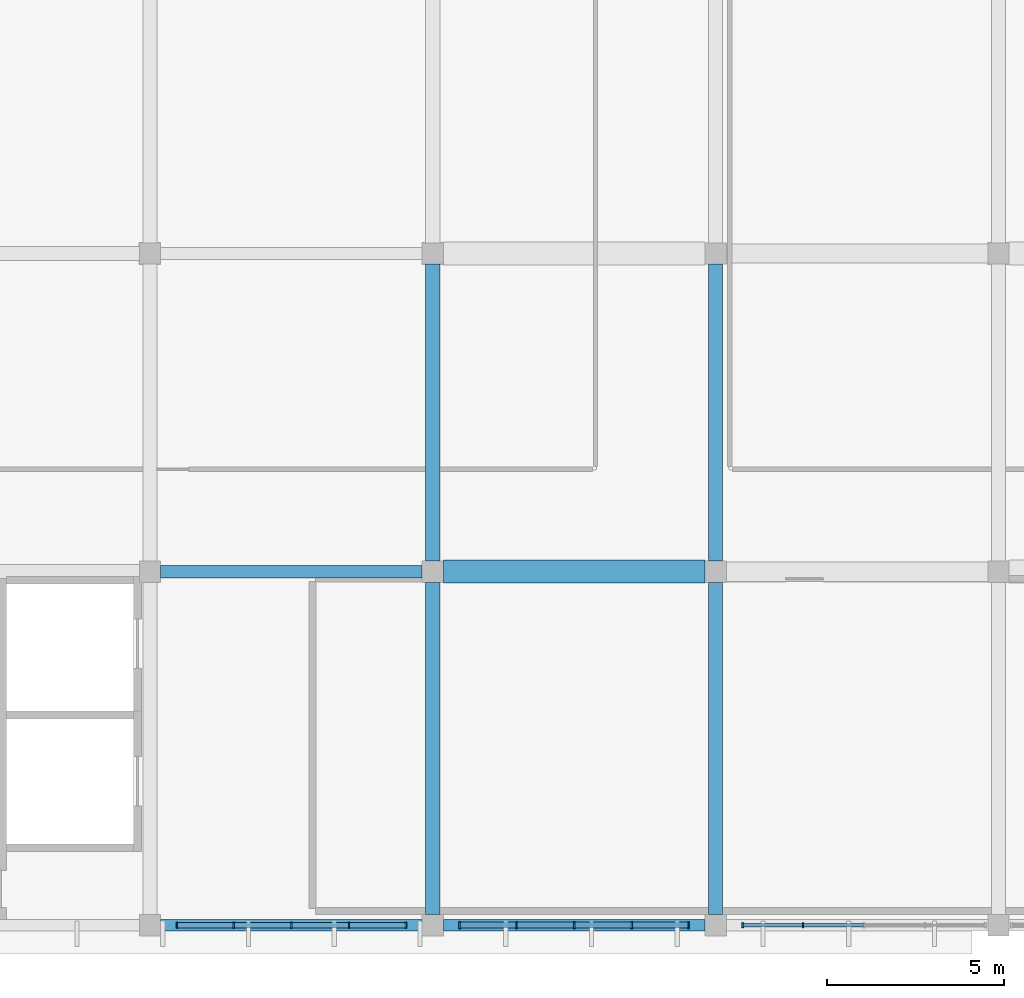
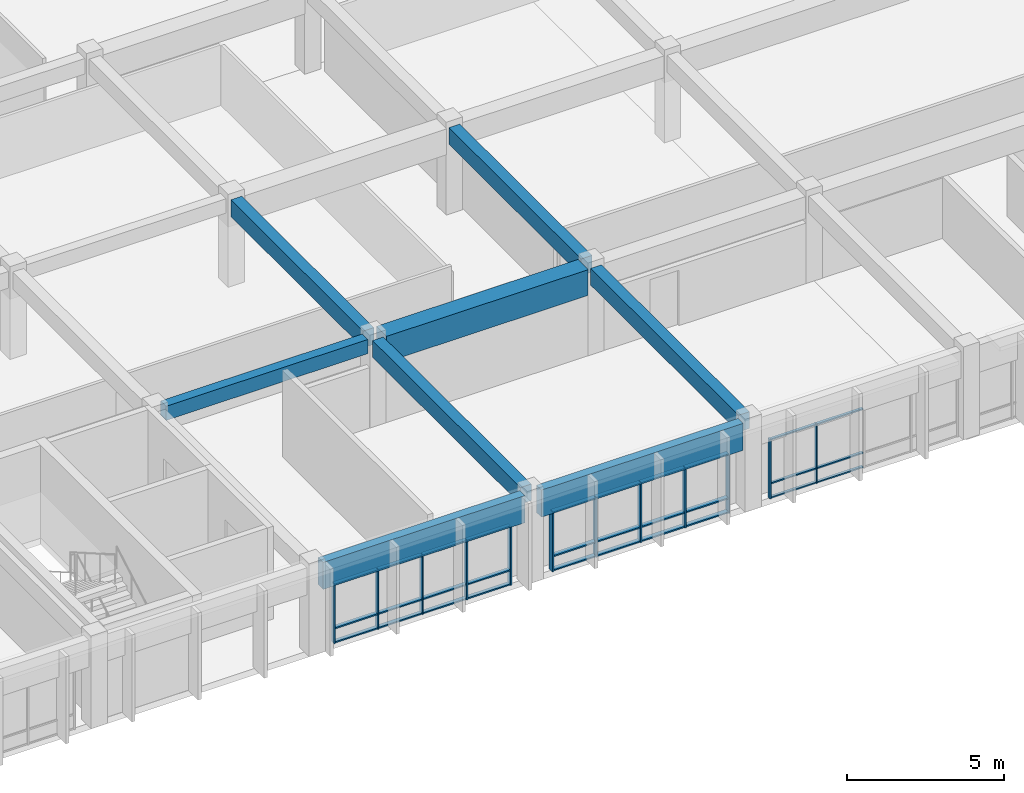
# One storey, part 28 of 155: 42 members, 8 beams, 3 elements without a shape of their own.
"""IFC4 building model written with IfcOpenShell, lengths in metres."""

from ifc_helpers import new_model, si_unit, direction, frame, origin, origin_2d, place, context, subcontext, project, spatial, rectangle, extrude, material, material_profile, profile_set, type_object, element, aggregate, save


model = new_model("IFC4")

# Units and contexts
model_context = context("Model", 3, precision=1e-05, world=origin(), true_north=direction((0.0, 1.0)))
body_context = subcontext(model_context, "Body", "Model", "MODEL_VIEW")
ifc_project = project(units=[si_unit("LENGTHUNIT", "METRE"), si_unit("AREAUNIT", "SQUARE_METRE"), si_unit("VOLUMEUNIT", "CUBIC_METRE"), si_unit("PLANEANGLEUNIT", "RADIAN"), si_unit("MASSUNIT", "GRAM", prefix="KILO")], contexts=[model_context])

# Site, building, storey
site_placement = place(None, origin())
site = spatial("IfcSite", under=ifc_project, at=site_placement, CompositionType="ELEMENT")
building_placement = place(site_placement, origin())
building = spatial("IfcBuilding", under=site, at=building_placement, Name="Larkveld Mobility Hub", CompositionType="ELEMENT")
storey_placement = place(building_placement, frame((0.0, 0.0, 8.39990234375)))
storey = spatial("IfcBuildingStorey", under=building, at=storey_placement, Name="L02", CompositionType="ELEMENT", Elevation=8.39990234375)

# Beams
ifc_material_1 = material(Name="Concrete C40/50", Category="concrete")
ifc_material_profile_1 = material_profile(ifc_material_1, rectangle(XDim=0.35009765625, YDim=0.550048828125, at=origin_2d()), Name="RC BM 350x550")
ifc_profile_set_1 = profile_set([ifc_material_profile_1], Name="Concrete C40/50")
beam_type_1 = type_object("IfcBeamType", Name="BM-RC3555", PredefinedType="BEAM", material=ifc_profile_set_1)
beam_1_placement = place(storey_placement, frame((128.300048828125, 10.0, 3.085205078125), z_axis=(1.0, 0.0, 0.0), x_axis=(0.0, 1.0, 0.0)))
element("IfcBeam", 1, at=beam_1_placement, inside=storey, type_object=beam_type_1, Name="Primary E-W Girder L02-0493", PredefinedType="BEAM", context=body_context, shape_type="SweptSolid", body=[
    extrude(rectangle(XDim=0.35009765625, YDim=0.550048828125, at=origin_2d()), origin(), (0.0, 0.0, 1.0), 7.39990234375),
])
ifc_material_profile_2 = material_profile(ifc_material_1, rectangle(XDim=0.39990234375, YDim=0.64990234375, at=origin_2d()), Name="RC BM 400x650")
ifc_profile_set_2 = profile_set([ifc_material_profile_2], Name="Concrete C40/50")
beam_type_2 = type_object("IfcBeamType", Name="BM-RC4065", PredefinedType="BEAM", material=ifc_profile_set_2)
beam_2_placement = place(storey_placement, frame((136.0, 0.300048828125, 3.03515625), z_axis=(0.0, 1.0, 0.0), x_axis=(-1.0, 0.0, 0.0)))
element("IfcBeam", 2, at=beam_2_placement, inside=storey, type_object=beam_type_2, Name="Primary N-S Girder L02-0652", PredefinedType="BEAM", context=body_context, shape_type="SweptSolid", body=[
    extrude(rectangle(XDim=0.39990234375, YDim=0.64990234375, at=origin_2d()), origin(), (0.0, 0.0, 1.0), 9.39990234375),
])
beam_3_placement = place(storey_placement, frame((136.0, 10.300048828125, 3.03515625), z_axis=(0.0, 1.0, 0.0), x_axis=(-1.0, 0.0, 0.0)))
element("IfcBeam", 3, at=beam_3_placement, inside=storey, type_object=beam_type_2, Name="Primary N-S Girder L02-0653", PredefinedType="BEAM", context=body_context, shape_type="SweptSolid", body=[
    extrude(rectangle(XDim=0.39990234375, YDim=0.64990234375, at=origin_2d()), origin(), (0.0, 0.0, 1.0), 8.39990234375),
])
beam_4_placement = place(storey_placement, frame((144.0, 0.300048828125, 3.03515625), z_axis=(0.0, 1.0, 0.0), x_axis=(-1.0, 0.0, 0.0)))
element("IfcBeam", 4, at=beam_4_placement, inside=storey, type_object=beam_type_2, Name="Primary N-S Girder L02-0660", PredefinedType="BEAM", context=body_context, shape_type="SweptSolid", body=[
    extrude(rectangle(XDim=0.39990234375, YDim=0.64990234375, at=origin_2d()), origin(), (0.0, 0.0, 1.0), 9.39990234375),
])
beam_5_placement = place(storey_placement, frame((144.0, 10.300048828125, 3.03515625), z_axis=(0.0, 1.0, 0.0), x_axis=(-1.0, 0.0, 0.0)))
element("IfcBeam", 5, at=beam_5_placement, inside=storey, type_object=beam_type_2, Name="Primary N-S Girder L02-0661", PredefinedType="BEAM", context=body_context, shape_type="SweptSolid", body=[
    extrude(rectangle(XDim=0.39990234375, YDim=0.64990234375, at=origin_2d()), origin(), (0.0, 0.0, 1.0), 8.39990234375),
])
ifc_material_profile_3 = material_profile(ifc_material_1, rectangle(XDim=0.64990234375, YDim=1.0, at=origin_2d()), Name="RC BM 650x1000")
ifc_profile_set_3 = profile_set([ifc_material_profile_3], Name="Concrete C40/50")
beam_type_3 = type_object("IfcBeamType", Name="BM-RC65100", PredefinedType="BEAM", material=ifc_profile_set_3)
beam_6_placement = place(storey_placement, frame((136.300048828125, 10.0, 2.860107421875), z_axis=(1.0, 0.0, 0.0), x_axis=(0.0, 1.0, 0.0)))
element("IfcBeam", 6, at=beam_6_placement, inside=storey, type_object=beam_type_3, Name="Primary E-W Girder L02-0494", PredefinedType="BEAM", context=body_context, shape_type="SweptSolid", body=[
    extrude(rectangle(XDim=0.64990234375, YDim=1.0, at=origin_2d()), origin(), (0.0, 0.0, 1.0), 7.39990234375),
])
ifc_material_2 = material(Name="Precast concrete C50/60", Category="concrete")
ifc_material_profile_4 = material_profile(ifc_material_2, rectangle(XDim=0.320068359375, YDim=1.050048828125, at=origin_2d()), Name="PC SP 320x1050")
ifc_profile_set_4 = profile_set([ifc_material_profile_4], Name="Precast concrete C50/60")
beam_type_4 = type_object("IfcBeamType", Name="BM-SP32105", PredefinedType="SPANDREL", material=ifc_profile_set_4)
for number, where, z_axis, x_axis, name in (
    (7, (128.300048828125, 0.0, 2.835205078125), (1.0, 0.0, 0.0), (0.0, 1.0, 0.0), "Primary E-W Girder L02-0486"),
    (8, (136.300048828125, 0.0, 2.835205078125), (1.0, 0.0, 0.0), (0.0, 1.0, 0.0), "Primary E-W Girder L02-0487"),
):
    element("IfcBeam", number, at=place(storey_placement, frame(where, z_axis=z_axis, x_axis=x_axis)), inside=storey, type_object=beam_type_4, Name=name, PredefinedType="SPANDREL", context=body_context, shape_type="SweptSolid", body=[
        extrude(rectangle(XDim=0.320068359375, YDim=1.050048828125, at=origin_2d()), origin(), (0.0, 0.0, 1.0), 7.39990234375),
    ])

# Curtain wall, members
ifc_material_3 = material(Name="Anodised aluminium 6063-T6", Category="aluminium")
curtain_wall_type_1 = type_object("IfcCurtainWallType", Name="CW-SYS-06", PredefinedType="NOTDEFINED", material=ifc_material_3)
curtain_wall_1_placement = place(storey_placement, origin())
curtain_wall_1 = element("IfcCurtainWall", 9, at=curtain_wall_1_placement, inside=storey, type_object=curtain_wall_type_1, Name="Service Centre South Curtain Wall L02 CW-102", PredefinedType="NOTDEFINED")
ifc_material_profile_5 = material_profile(ifc_material_3, rectangle(XDim=0.050048828125, YDim=0.179931640625, at=origin_2d()), Name="ALU MULL 50x180")
ifc_profile_set_5 = profile_set([ifc_material_profile_5], Name="Anodised aluminium 6063-T6")
member_type_1 = type_object("IfcMemberType", Name="CW-MUL-02", PredefinedType="MULLION", material=ifc_profile_set_5)
member_1_placement = place(storey_placement, frame((128.764892578125, 0.0, -0.001953125), z_axis=(0.0, 0.0, 1.0), x_axis=(1.0, 0.0, 0.0)))
member_1 = element("IfcMember", 10, at=member_1_placement, type_object=member_type_1, Name="CW06 mullion 1", PredefinedType="MULLION", context=body_context, shape_type="SweptSolid", body=[
    extrude(rectangle(XDim=0.050048828125, YDim=0.179931640625, at=origin_2d()), origin(), (0.0, 0.0, 1.0), 2.31201171875),
])
member_2_placement = place(storey_placement, frame((130.3701171875, 0.0, -0.001953125), z_axis=(0.0, 0.0, 1.0), x_axis=(1.0, 0.0, 0.0)))
member_2 = element("IfcMember", 11, at=member_2_placement, type_object=member_type_1, Name="CW06 mullion 2", PredefinedType="MULLION", context=body_context, shape_type="SweptSolid", body=[
    extrude(rectangle(XDim=0.050048828125, YDim=0.179931640625, at=origin_2d()), origin(), (0.0, 0.0, 1.0), 2.31201171875),
])
member_3_placement = place(storey_placement, frame((132.0, 0.0, -0.001953125), z_axis=(0.0, 0.0, 1.0), x_axis=(1.0, 0.0, 0.0)))
member_3 = element("IfcMember", 12, at=member_3_placement, type_object=member_type_1, Name="CW06 mullion 3", PredefinedType="MULLION", context=body_context, shape_type="SweptSolid", body=[
    extrude(rectangle(XDim=0.050048828125, YDim=0.179931640625, at=origin_2d()), origin(), (0.0, 0.0, 1.0), 2.31201171875),
])
member_4_placement = place(storey_placement, frame((133.6298828125, 0.0, -0.001953125), z_axis=(0.0, 0.0, 1.0), x_axis=(1.0, 0.0, 0.0)))
member_4 = element("IfcMember", 13, at=member_4_placement, type_object=member_type_1, Name="CW06 mullion 4", PredefinedType="MULLION", context=body_context, shape_type="SweptSolid", body=[
    extrude(rectangle(XDim=0.050048828125, YDim=0.179931640625, at=origin_2d()), origin(), (0.0, 0.0, 1.0), 2.31201171875),
])
member_5_placement = place(storey_placement, frame((135.235107421875, 0.0, -0.001953125), z_axis=(0.0, 0.0, 1.0), x_axis=(1.0, 0.0, 0.0)))
member_5 = element("IfcMember", 14, at=member_5_placement, type_object=member_type_1, Name="CW06 mullion 5", PredefinedType="MULLION", context=body_context, shape_type="SweptSolid", body=[
    extrude(rectangle(XDim=0.050048828125, YDim=0.179931640625, at=origin_2d()), origin(), (0.0, 0.0, 1.0), 2.31201171875),
])

curtain_wall_type_2 = type_object("IfcCurtainWallType", Name="CW-SYS-07", PredefinedType="NOTDEFINED", material=ifc_material_3)
curtain_wall_2_placement = place(storey_placement, origin())
curtain_wall_2 = element("IfcCurtainWall", 15, at=curtain_wall_2_placement, inside=storey, type_object=curtain_wall_type_2, Name="Service Centre South Curtain Wall L02 CW-103", PredefinedType="NOTDEFINED")
ifc_material_profile_6 = material_profile(ifc_material_3, rectangle(XDim=0.050048828125, YDim=0.2099609375, at=origin_2d()), Name="ALU MULL 50x210")
ifc_profile_set_6 = profile_set([ifc_material_profile_6], Name="Anodised aluminium 6063-T6")
member_type_2 = type_object("IfcMemberType", Name="CW-MUL-03", PredefinedType="MULLION", material=ifc_profile_set_6)
member_6_placement = place(storey_placement, frame((136.764892578125, 0.0, -0.001953125), z_axis=(0.0, 0.0, 1.0), x_axis=(1.0, 0.0, 0.0)))
member_6 = element("IfcMember", 16, at=member_6_placement, type_object=member_type_2, Name="CW07 mullion 1", PredefinedType="MULLION", context=body_context, shape_type="SweptSolid", body=[
    extrude(rectangle(XDim=0.050048828125, YDim=0.2099609375, at=origin_2d()), origin(), (0.0, 0.0, 1.0), 2.31201171875),
])
member_7_placement = place(storey_placement, frame((138.3701171875, 0.0, -0.001953125), z_axis=(0.0, 0.0, 1.0), x_axis=(1.0, 0.0, 0.0)))
member_7 = element("IfcMember", 17, at=member_7_placement, type_object=member_type_2, Name="CW07 mullion 2", PredefinedType="MULLION", context=body_context, shape_type="SweptSolid", body=[
    extrude(rectangle(XDim=0.050048828125, YDim=0.2099609375, at=origin_2d()), origin(), (0.0, 0.0, 1.0), 2.31201171875),
])
member_8_placement = place(storey_placement, frame((140.0, 0.0, -0.001953125), z_axis=(0.0, 0.0, 1.0), x_axis=(1.0, 0.0, 0.0)))
member_8 = element("IfcMember", 18, at=member_8_placement, type_object=member_type_2, Name="CW07 mullion 3", PredefinedType="MULLION", context=body_context, shape_type="SweptSolid", body=[
    extrude(rectangle(XDim=0.050048828125, YDim=0.2099609375, at=origin_2d()), origin(), (0.0, 0.0, 1.0), 2.31201171875),
])
member_9_placement = place(storey_placement, frame((141.6298828125, 0.0, -0.001953125), z_axis=(0.0, 0.0, 1.0), x_axis=(1.0, 0.0, 0.0)))
member_9 = element("IfcMember", 19, at=member_9_placement, type_object=member_type_2, Name="CW07 mullion 4", PredefinedType="MULLION", context=body_context, shape_type="SweptSolid", body=[
    extrude(rectangle(XDim=0.050048828125, YDim=0.2099609375, at=origin_2d()), origin(), (0.0, 0.0, 1.0), 2.31201171875),
])
member_10_placement = place(storey_placement, frame((143.235107421875, 0.0, -0.001953125), z_axis=(0.0, 0.0, 1.0), x_axis=(1.0, 0.0, 0.0)))
member_10 = element("IfcMember", 20, at=member_10_placement, type_object=member_type_2, Name="CW07 mullion 5", PredefinedType="MULLION", context=body_context, shape_type="SweptSolid", body=[
    extrude(rectangle(XDim=0.050048828125, YDim=0.2099609375, at=origin_2d()), origin(), (0.0, 0.0, 1.0), 2.31201171875),
])

curtain_wall_type_3 = type_object("IfcCurtainWallType", Name="CW-SYS-08", PredefinedType="NOTDEFINED", material=ifc_material_3)
curtain_wall_3_placement = place(storey_placement, origin())
curtain_wall_3 = element("IfcCurtainWall", 21, at=curtain_wall_3_placement, inside=storey, type_object=curtain_wall_type_3, Name="Service Centre South Curtain Wall L02 CW-104", PredefinedType="NOTDEFINED")
ifc_material_profile_7 = material_profile(ifc_material_3, rectangle(XDim=0.050048828125, YDim=0.1298828125, at=origin_2d()), Name="ALU MULL 50x130")
ifc_profile_set_7 = profile_set([ifc_material_profile_7], Name="Anodised aluminium 6063-T6")
member_type_3 = type_object("IfcMemberType", Name="CW-MUL-04", PredefinedType="MULLION", material=ifc_profile_set_7)
member_11_placement = place(storey_placement, frame((144.764892578125, 0.0, -0.001953125), z_axis=(0.0, 0.0, 1.0), x_axis=(1.0, 0.0, 0.0)))
member_11 = element("IfcMember", 22, at=member_11_placement, type_object=member_type_3, Name="CW08 mullion 1", PredefinedType="MULLION", context=body_context, shape_type="SweptSolid", body=[
    extrude(rectangle(XDim=0.050048828125, YDim=0.1298828125, at=origin_2d()), origin(), (0.0, 0.0, 1.0), 2.31201171875),
])
member_12_placement = place(storey_placement, frame((146.468017578125, 0.0, -0.001953125), z_axis=(0.0, 0.0, 1.0), x_axis=(1.0, 0.0, 0.0)))
member_12 = element("IfcMember", 23, at=member_12_placement, type_object=member_type_3, Name="CW08 mullion 2", PredefinedType="MULLION", context=body_context, shape_type="SweptSolid", body=[
    extrude(rectangle(XDim=0.050048828125, YDim=0.1298828125, at=origin_2d()), origin(), (0.0, 0.0, 1.0), 2.31201171875),
])

# Member
ifc_material_profile_8 = material_profile(ifc_material_3, rectangle(XDim=0.14990234375, YDim=0.050048828125, at=origin_2d()), Name="ALU TRAN 50x150")
ifc_profile_set_8 = profile_set([ifc_material_profile_8], Name="Anodised aluminium 6063-T6")
member_type_4 = type_object("IfcMemberType", Name="CW-TRN-02", PredefinedType="USERDEFINED", material=ifc_profile_set_8)
member_13_placement = place(storey_placement, frame((128.77490234375, 0.0, 0.030029296875), z_axis=(1.0, 0.0, 0.0), x_axis=(0.0, 1.0, 0.0)))
member_13 = element("IfcMember", 24, at=member_13_placement, type_object=member_type_4, Name="CW06 transom 1.1", ObjectType="TRANSOM", PredefinedType="USERDEFINED", context=body_context, shape_type="SweptSolid", body=[
    extrude(rectangle(XDim=0.14990234375, YDim=0.050048828125, at=origin_2d()), origin(), (0.0, 0.0, 1.0), 1.580078125),
])

member_14_placement = place(storey_placement, frame((128.77490234375, 0.0, 0.5771484375), z_axis=(1.0, 0.0, 0.0), x_axis=(0.0, 1.0, 0.0)))
member_14 = element("IfcMember", 25, at=member_14_placement, type_object=member_type_4, Name="CW06 transom 1.2", ObjectType="TRANSOM", PredefinedType="USERDEFINED", context=body_context, shape_type="SweptSolid", body=[
    extrude(rectangle(XDim=0.14990234375, YDim=0.050048828125, at=origin_2d()), origin(), (0.0, 0.0, 1.0), 1.580078125),
])

member_15_placement = place(storey_placement, frame((128.77490234375, 0.0, 2.278076171875), z_axis=(1.0, 0.0, 0.0), x_axis=(0.0, 1.0, 0.0)))
member_15 = element("IfcMember", 26, at=member_15_placement, type_object=member_type_4, Name="CW06 transom 1.3", ObjectType="TRANSOM", PredefinedType="USERDEFINED", context=body_context, shape_type="SweptSolid", body=[
    extrude(rectangle(XDim=0.14990234375, YDim=0.050048828125, at=origin_2d()), origin(), (0.0, 0.0, 1.0), 1.580078125),
])

member_16_placement = place(storey_placement, frame((130.385009765625, 0.0, 0.030029296875), z_axis=(1.0, 0.0, 0.0), x_axis=(0.0, 1.0, 0.0)))
member_16 = element("IfcMember", 27, at=member_16_placement, type_object=member_type_4, Name="CW06 transom 2.1", ObjectType="TRANSOM", PredefinedType="USERDEFINED", context=body_context, shape_type="SweptSolid", body=[
    extrude(rectangle(XDim=0.14990234375, YDim=0.050048828125, at=origin_2d()), origin(), (0.0, 0.0, 1.0), 1.60009765625),
])

member_17_placement = place(storey_placement, frame((130.385009765625, 0.0, 0.5771484375), z_axis=(1.0, 0.0, 0.0), x_axis=(0.0, 1.0, 0.0)))
member_17 = element("IfcMember", 28, at=member_17_placement, type_object=member_type_4, Name="CW06 transom 2.2", ObjectType="TRANSOM", PredefinedType="USERDEFINED", context=body_context, shape_type="SweptSolid", body=[
    extrude(rectangle(XDim=0.14990234375, YDim=0.050048828125, at=origin_2d()), origin(), (0.0, 0.0, 1.0), 1.60009765625),
])

member_18_placement = place(storey_placement, frame((130.385009765625, 0.0, 2.278076171875), z_axis=(1.0, 0.0, 0.0), x_axis=(0.0, 1.0, 0.0)))
member_18 = element("IfcMember", 29, at=member_18_placement, type_object=member_type_4, Name="CW06 transom 2.3", ObjectType="TRANSOM", PredefinedType="USERDEFINED", context=body_context, shape_type="SweptSolid", body=[
    extrude(rectangle(XDim=0.14990234375, YDim=0.050048828125, at=origin_2d()), origin(), (0.0, 0.0, 1.0), 1.60009765625),
])

member_19_placement = place(storey_placement, frame((132.014892578125, 0.0, 0.030029296875), z_axis=(1.0, 0.0, 0.0), x_axis=(0.0, 1.0, 0.0)))
member_19 = element("IfcMember", 30, at=member_19_placement, type_object=member_type_4, Name="CW06 transom 3.1", ObjectType="TRANSOM", PredefinedType="USERDEFINED", context=body_context, shape_type="SweptSolid", body=[
    extrude(rectangle(XDim=0.14990234375, YDim=0.050048828125, at=origin_2d()), origin(), (0.0, 0.0, 1.0), 1.60009765625),
])

member_20_placement = place(storey_placement, frame((132.014892578125, 0.0, 0.5771484375), z_axis=(1.0, 0.0, 0.0), x_axis=(0.0, 1.0, 0.0)))
member_20 = element("IfcMember", 31, at=member_20_placement, type_object=member_type_4, Name="CW06 transom 3.2", ObjectType="TRANSOM", PredefinedType="USERDEFINED", context=body_context, shape_type="SweptSolid", body=[
    extrude(rectangle(XDim=0.14990234375, YDim=0.050048828125, at=origin_2d()), origin(), (0.0, 0.0, 1.0), 1.60009765625),
])

member_21_placement = place(storey_placement, frame((132.014892578125, 0.0, 2.278076171875), z_axis=(1.0, 0.0, 0.0), x_axis=(0.0, 1.0, 0.0)))
member_21 = element("IfcMember", 32, at=member_21_placement, type_object=member_type_4, Name="CW06 transom 3.3", ObjectType="TRANSOM", PredefinedType="USERDEFINED", context=body_context, shape_type="SweptSolid", body=[
    extrude(rectangle(XDim=0.14990234375, YDim=0.050048828125, at=origin_2d()), origin(), (0.0, 0.0, 1.0), 1.60009765625),
])

member_22_placement = place(storey_placement, frame((133.64501953125, 0.0, 0.030029296875), z_axis=(1.0, 0.0, 0.0), x_axis=(0.0, 1.0, 0.0)))
member_22 = element("IfcMember", 33, at=member_22_placement, type_object=member_type_4, Name="CW06 transom 4.1", ObjectType="TRANSOM", PredefinedType="USERDEFINED", context=body_context, shape_type="SweptSolid", body=[
    extrude(rectangle(XDim=0.14990234375, YDim=0.050048828125, at=origin_2d()), origin(), (0.0, 0.0, 1.0), 1.580078125),
])

member_23_placement = place(storey_placement, frame((133.64501953125, 0.0, 0.5771484375), z_axis=(1.0, 0.0, 0.0), x_axis=(0.0, 1.0, 0.0)))
member_23 = element("IfcMember", 34, at=member_23_placement, type_object=member_type_4, Name="CW06 transom 4.2", ObjectType="TRANSOM", PredefinedType="USERDEFINED", context=body_context, shape_type="SweptSolid", body=[
    extrude(rectangle(XDim=0.14990234375, YDim=0.050048828125, at=origin_2d()), origin(), (0.0, 0.0, 1.0), 1.580078125),
])

member_24_placement = place(storey_placement, frame((133.64501953125, 0.0, 2.278076171875), z_axis=(1.0, 0.0, 0.0), x_axis=(0.0, 1.0, 0.0)))
member_24 = element("IfcMember", 35, at=member_24_placement, type_object=member_type_4, Name="CW06 transom 4.3", ObjectType="TRANSOM", PredefinedType="USERDEFINED", context=body_context, shape_type="SweptSolid", body=[
    extrude(rectangle(XDim=0.14990234375, YDim=0.050048828125, at=origin_2d()), origin(), (0.0, 0.0, 1.0), 1.580078125),
])

aggregate(curtain_wall_1, [member_1, member_2, member_3, member_4, member_5, member_13, member_14, member_15, member_16, member_17, member_18, member_19, member_20, member_21, member_22, member_23, member_24])

ifc_material_profile_9 = material_profile(ifc_material_3, rectangle(XDim=0.169921875, YDim=0.050048828125, at=origin_2d()), Name="ALU TRAN 50x170")
ifc_profile_set_9 = profile_set([ifc_material_profile_9], Name="Anodised aluminium 6063-T6")
member_type_5 = type_object("IfcMemberType", Name="CW-TRN-03", PredefinedType="USERDEFINED", material=ifc_profile_set_9)
member_25_placement = place(storey_placement, frame((136.77490234375, 0.0, 0.030029296875), z_axis=(1.0, 0.0, 0.0), x_axis=(0.0, 1.0, 0.0)))
member_25 = element("IfcMember", 36, at=member_25_placement, type_object=member_type_5, Name="CW07 transom 1.1", ObjectType="TRANSOM", PredefinedType="USERDEFINED", context=body_context, shape_type="SweptSolid", body=[
    extrude(rectangle(XDim=0.169921875, YDim=0.050048828125, at=origin_2d()), origin(), (0.0, 0.0, 1.0), 1.580078125),
])

member_26_placement = place(storey_placement, frame((136.77490234375, 0.0, 0.5771484375), z_axis=(1.0, 0.0, 0.0), x_axis=(0.0, 1.0, 0.0)))
member_26 = element("IfcMember", 37, at=member_26_placement, type_object=member_type_5, Name="CW07 transom 1.2", ObjectType="TRANSOM", PredefinedType="USERDEFINED", context=body_context, shape_type="SweptSolid", body=[
    extrude(rectangle(XDim=0.169921875, YDim=0.050048828125, at=origin_2d()), origin(), (0.0, 0.0, 1.0), 1.580078125),
])

member_27_placement = place(storey_placement, frame((136.77490234375, 0.0, 2.278076171875), z_axis=(1.0, 0.0, 0.0), x_axis=(0.0, 1.0, 0.0)))
member_27 = element("IfcMember", 38, at=member_27_placement, type_object=member_type_5, Name="CW07 transom 1.3", ObjectType="TRANSOM", PredefinedType="USERDEFINED", context=body_context, shape_type="SweptSolid", body=[
    extrude(rectangle(XDim=0.169921875, YDim=0.050048828125, at=origin_2d()), origin(), (0.0, 0.0, 1.0), 1.580078125),
])

member_28_placement = place(storey_placement, frame((138.385009765625, 0.0, 0.030029296875), z_axis=(1.0, 0.0, 0.0), x_axis=(0.0, 1.0, 0.0)))
member_28 = element("IfcMember", 39, at=member_28_placement, type_object=member_type_5, Name="CW07 transom 2.1", ObjectType="TRANSOM", PredefinedType="USERDEFINED", context=body_context, shape_type="SweptSolid", body=[
    extrude(rectangle(XDim=0.169921875, YDim=0.050048828125, at=origin_2d()), origin(), (0.0, 0.0, 1.0), 1.60009765625),
])

member_29_placement = place(storey_placement, frame((138.385009765625, 0.0, 0.5771484375), z_axis=(1.0, 0.0, 0.0), x_axis=(0.0, 1.0, 0.0)))
member_29 = element("IfcMember", 40, at=member_29_placement, type_object=member_type_5, Name="CW07 transom 2.2", ObjectType="TRANSOM", PredefinedType="USERDEFINED", context=body_context, shape_type="SweptSolid", body=[
    extrude(rectangle(XDim=0.169921875, YDim=0.050048828125, at=origin_2d()), origin(), (0.0, 0.0, 1.0), 1.60009765625),
])

member_30_placement = place(storey_placement, frame((138.385009765625, 0.0, 2.278076171875), z_axis=(1.0, 0.0, 0.0), x_axis=(0.0, 1.0, 0.0)))
member_30 = element("IfcMember", 41, at=member_30_placement, type_object=member_type_5, Name="CW07 transom 2.3", ObjectType="TRANSOM", PredefinedType="USERDEFINED", context=body_context, shape_type="SweptSolid", body=[
    extrude(rectangle(XDim=0.169921875, YDim=0.050048828125, at=origin_2d()), origin(), (0.0, 0.0, 1.0), 1.60009765625),
])

member_31_placement = place(storey_placement, frame((140.014892578125, 0.0, 0.030029296875), z_axis=(1.0, 0.0, 0.0), x_axis=(0.0, 1.0, 0.0)))
member_31 = element("IfcMember", 42, at=member_31_placement, type_object=member_type_5, Name="CW07 transom 3.1", ObjectType="TRANSOM", PredefinedType="USERDEFINED", context=body_context, shape_type="SweptSolid", body=[
    extrude(rectangle(XDim=0.169921875, YDim=0.050048828125, at=origin_2d()), origin(), (0.0, 0.0, 1.0), 1.60009765625),
])

member_32_placement = place(storey_placement, frame((140.014892578125, 0.0, 0.5771484375), z_axis=(1.0, 0.0, 0.0), x_axis=(0.0, 1.0, 0.0)))
member_32 = element("IfcMember", 43, at=member_32_placement, type_object=member_type_5, Name="CW07 transom 3.2", ObjectType="TRANSOM", PredefinedType="USERDEFINED", context=body_context, shape_type="SweptSolid", body=[
    extrude(rectangle(XDim=0.169921875, YDim=0.050048828125, at=origin_2d()), origin(), (0.0, 0.0, 1.0), 1.60009765625),
])

member_33_placement = place(storey_placement, frame((140.014892578125, 0.0, 2.278076171875), z_axis=(1.0, 0.0, 0.0), x_axis=(0.0, 1.0, 0.0)))
member_33 = element("IfcMember", 44, at=member_33_placement, type_object=member_type_5, Name="CW07 transom 3.3", ObjectType="TRANSOM", PredefinedType="USERDEFINED", context=body_context, shape_type="SweptSolid", body=[
    extrude(rectangle(XDim=0.169921875, YDim=0.050048828125, at=origin_2d()), origin(), (0.0, 0.0, 1.0), 1.60009765625),
])

member_34_placement = place(storey_placement, frame((141.64501953125, 0.0, 0.030029296875), z_axis=(1.0, 0.0, 0.0), x_axis=(0.0, 1.0, 0.0)))
member_34 = element("IfcMember", 45, at=member_34_placement, type_object=member_type_5, Name="CW07 transom 4.1", ObjectType="TRANSOM", PredefinedType="USERDEFINED", context=body_context, shape_type="SweptSolid", body=[
    extrude(rectangle(XDim=0.169921875, YDim=0.050048828125, at=origin_2d()), origin(), (0.0, 0.0, 1.0), 1.580078125),
])

member_35_placement = place(storey_placement, frame((141.64501953125, 0.0, 0.5771484375), z_axis=(1.0, 0.0, 0.0), x_axis=(0.0, 1.0, 0.0)))
member_35 = element("IfcMember", 46, at=member_35_placement, type_object=member_type_5, Name="CW07 transom 4.2", ObjectType="TRANSOM", PredefinedType="USERDEFINED", context=body_context, shape_type="SweptSolid", body=[
    extrude(rectangle(XDim=0.169921875, YDim=0.050048828125, at=origin_2d()), origin(), (0.0, 0.0, 1.0), 1.580078125),
])

member_36_placement = place(storey_placement, frame((141.64501953125, 0.0, 2.278076171875), z_axis=(1.0, 0.0, 0.0), x_axis=(0.0, 1.0, 0.0)))
member_36 = element("IfcMember", 47, at=member_36_placement, type_object=member_type_5, Name="CW07 transom 4.3", ObjectType="TRANSOM", PredefinedType="USERDEFINED", context=body_context, shape_type="SweptSolid", body=[
    extrude(rectangle(XDim=0.169921875, YDim=0.050048828125, at=origin_2d()), origin(), (0.0, 0.0, 1.0), 1.580078125),
])

aggregate(curtain_wall_2, [member_6, member_7, member_8, member_9, member_10, member_25, member_26, member_27, member_28, member_29, member_30, member_31, member_32, member_33, member_34, member_35, member_36])

ifc_material_profile_10 = material_profile(ifc_material_3, rectangle(XDim=0.10009765625, YDim=0.050048828125, at=origin_2d()), Name="ALU TRAN 50x100")
ifc_profile_set_10 = profile_set([ifc_material_profile_10], Name="Anodised aluminium 6063-T6")
member_type_6 = type_object("IfcMemberType", Name="CW-TRN-04", PredefinedType="USERDEFINED", material=ifc_profile_set_10)
member_37_placement = place(storey_placement, frame((144.77490234375, 0.0, 0.030029296875), z_axis=(1.0, 0.0, 0.0), x_axis=(0.0, 1.0, 0.0)))
member_37 = element("IfcMember", 48, at=member_37_placement, type_object=member_type_6, Name="CW08 transom 1.1", ObjectType="TRANSOM", PredefinedType="USERDEFINED", context=body_context, shape_type="SweptSolid", body=[
    extrude(rectangle(XDim=0.10009765625, YDim=0.050048828125, at=origin_2d()), origin(), (0.0, 0.0, 1.0), 1.677978515625),
])

member_38_placement = place(storey_placement, frame((144.77490234375, 0.0, 0.5771484375), z_axis=(1.0, 0.0, 0.0), x_axis=(0.0, 1.0, 0.0)))
member_38 = element("IfcMember", 49, at=member_38_placement, type_object=member_type_6, Name="CW08 transom 1.2", ObjectType="TRANSOM", PredefinedType="USERDEFINED", context=body_context, shape_type="SweptSolid", body=[
    extrude(rectangle(XDim=0.10009765625, YDim=0.050048828125, at=origin_2d()), origin(), (0.0, 0.0, 1.0), 1.677978515625),
])

member_39_placement = place(storey_placement, frame((144.77490234375, 0.0, 2.278076171875), z_axis=(1.0, 0.0, 0.0), x_axis=(0.0, 1.0, 0.0)))
member_39 = element("IfcMember", 50, at=member_39_placement, type_object=member_type_6, Name="CW08 transom 1.3", ObjectType="TRANSOM", PredefinedType="USERDEFINED", context=body_context, shape_type="SweptSolid", body=[
    extrude(rectangle(XDim=0.10009765625, YDim=0.050048828125, at=origin_2d()), origin(), (0.0, 0.0, 1.0), 1.677978515625),
])

member_40_placement = place(storey_placement, frame((146.48291015625, 0.0, 0.030029296875), z_axis=(1.0, 0.0, 0.0), x_axis=(0.0, 1.0, 0.0)))
member_40 = element("IfcMember", 51, at=member_40_placement, type_object=member_type_6, Name="CW08 transom 2.1", ObjectType="TRANSOM", PredefinedType="USERDEFINED", context=body_context, shape_type="SweptSolid", body=[
    extrude(rectangle(XDim=0.10009765625, YDim=0.050048828125, at=origin_2d()), origin(), (0.0, 0.0, 1.0), 1.697021484375),
])

member_41_placement = place(storey_placement, frame((146.48291015625, 0.0, 0.5771484375), z_axis=(1.0, 0.0, 0.0), x_axis=(0.0, 1.0, 0.0)))
member_41 = element("IfcMember", 52, at=member_41_placement, type_object=member_type_6, Name="CW08 transom 2.2", ObjectType="TRANSOM", PredefinedType="USERDEFINED", context=body_context, shape_type="SweptSolid", body=[
    extrude(rectangle(XDim=0.10009765625, YDim=0.050048828125, at=origin_2d()), origin(), (0.0, 0.0, 1.0), 1.697021484375),
])

member_42_placement = place(storey_placement, frame((146.48291015625, 0.0, 2.278076171875), z_axis=(1.0, 0.0, 0.0), x_axis=(0.0, 1.0, 0.0)))
member_42 = element("IfcMember", 53, at=member_42_placement, type_object=member_type_6, Name="CW08 transom 2.3", ObjectType="TRANSOM", PredefinedType="USERDEFINED", context=body_context, shape_type="SweptSolid", body=[
    extrude(rectangle(XDim=0.10009765625, YDim=0.050048828125, at=origin_2d()), origin(), (0.0, 0.0, 1.0), 1.697021484375),
])

aggregate(curtain_wall_3, [member_11, member_12, member_37, member_38, member_39, member_40, member_41, member_42])

save(model, "model.ifc")
